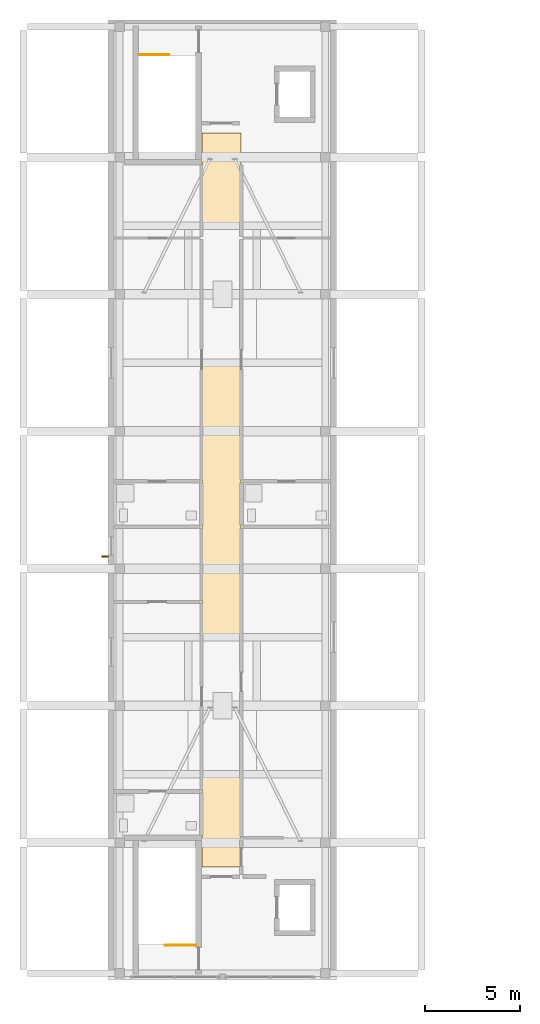
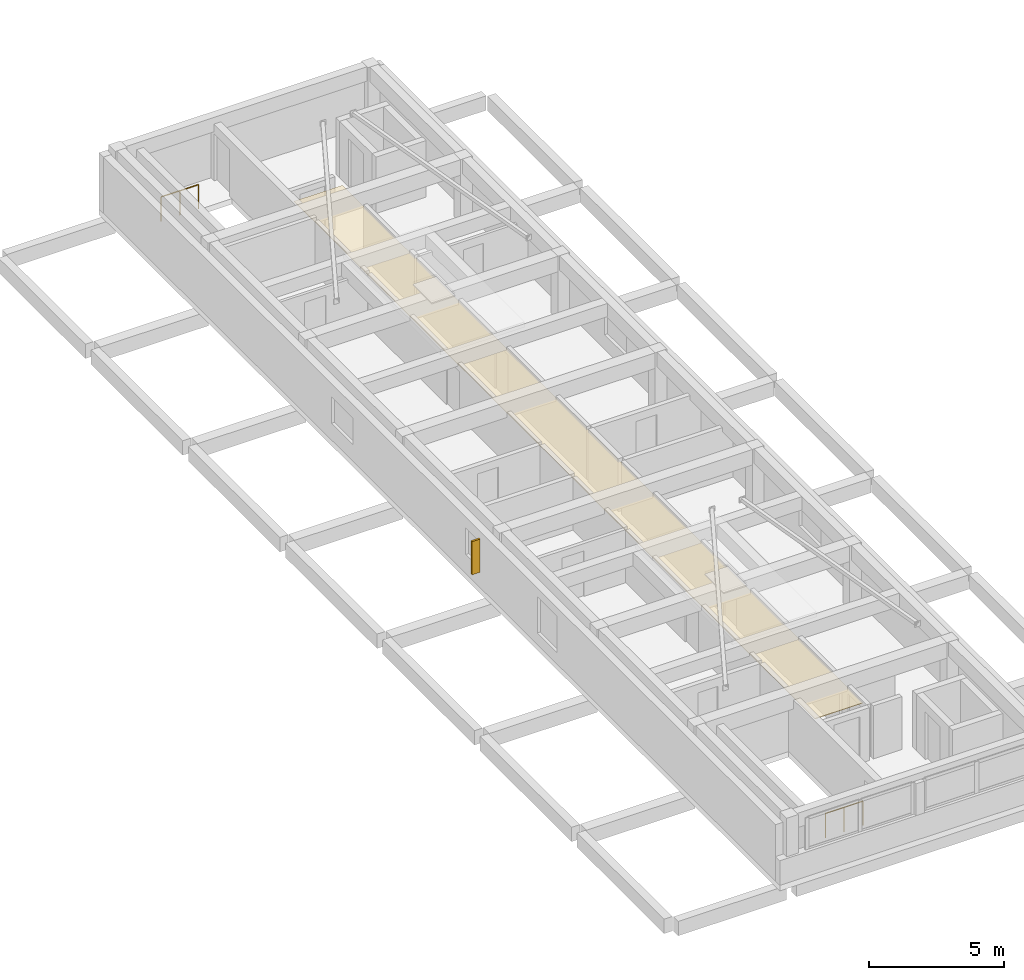
# One storey, part 8 of 9: 2 railings, 1 covering, 1 shading device.
"""IFC4 building model written with IfcOpenShell, lengths in metres."""

from ifc_helpers import new_model, si_unit, derived_unit, direction, frame, origin, origin_2d, place, context, subcontext, project, spatial, polyline, rectangle, circle, outline, extrude, material, layer, layer_set, type_object, element, save


model = new_model("IFC4")

# Units and contexts
model_context = context("Model", 3, precision=1e-05, world=origin(), true_north=direction((0.0, 1.0)))
body_context = subcontext(model_context, "Body", "Model", "MODEL_VIEW")
ifc_project = project(units=[si_unit("LENGTHUNIT", "METRE"), si_unit("AREAUNIT", "SQUARE_METRE"), si_unit("VOLUMEUNIT", "CUBIC_METRE"), si_unit("PLANEANGLEUNIT", "RADIAN"), si_unit("MASSUNIT", "GRAM", prefix="KILO"), derived_unit("THERMALTRANSMITTANCEUNIT", [(si_unit("MASSUNIT", "GRAM", prefix="KILO"), 1), (si_unit("TIMEUNIT", "SECOND"), -3), (si_unit("THERMODYNAMICTEMPERATUREUNIT", "KELVIN"), -1)])], contexts=[model_context])

# Site, building, storey
site_placement = place(None, origin())
site = spatial("IfcSite", under=ifc_project, at=site_placement, CompositionType="ELEMENT")
building_placement = place(site_placement, origin())
building = spatial("IfcBuilding", under=site, at=building_placement, Name="Ochrekiln Boulevard Commons", CompositionType="ELEMENT")
storey_placement = place(building_placement, frame((0.0, 0.0, 46.72509765625)))
storey = spatial("IfcBuildingStorey", under=building, at=storey_placement, Name="L14", CompositionType="ELEMENT", Elevation=46.72509765625)

# Covering
ifc_material_1 = material(Name="Mineral-fibre acoustic ceiling tile")
ifc_layer = layer(ifc_material_1, 0.02490234375)
ifc_layer_set = layer_set([ifc_layer], Name="Mineral-fibre acoustic ceiling tile")
covering_type = type_object("IfcCoveringType", Name="COV-CEIL-AC", PredefinedType="CEILING", material=ifc_layer_set)
covering_placement = place(storey_placement, frame((0.0, 0.0, 2.199951171875)))
element("IfcCovering", 1, at=covering_placement, inside=storey, type_object=covering_type, Name="L14 Acoustic Corridor Ceiling 74", PredefinedType="CEILING", context=body_context, shape_type="SweptSolid", body=[
    extrude(outline(polyline([(9.719970703125, 74.320068359375), (11.780029296875, 74.320068359375), (11.780029296875, 112.8798828125), (9.719970703125, 112.8798828125), (9.719970703125, 74.320068359375)])), origin(), (0.0, 0.0, 1.0), 0.02490234375),
])

# Railings
ifc_material_2 = material(Name="Brushed stainless steel 316 tubular railing", Category="steel")
railing_type = type_object("IfcRailingType", Name="RLG-STR-1120", PredefinedType="BALUSTRADE", material=ifc_material_2)
railing_1_placement = place(storey_placement, frame((9.39990234375, 70.219970703125, 0.0)))
element("IfcRailing", 2, at=railing_1_placement, inside=storey, type_object=railing_type, Name="L14 ST-A1 top well guard 1", PredefinedType="BALUSTRADE", context=body_context, shape_type="SweptSolid", body=[
    extrude(circle(Radius=0.02392578125, at=origin_2d()), frame((0.0, 0.0, 1.09619140625), z_axis=(-1.0, 0.0, 0.0), x_axis=(0.0, -1.0, 0.0)), (0.0, 0.0, 1.0), 1.599853515625),
    extrude(circle(Radius=0.02099609375, at=origin_2d()), origin(), (0.0, 0.0, 1.0), 1.072021484375),
    extrude(circle(Radius=0.02099609375, at=origin_2d()), frame((-0.7998046875, 0.0, 0.0)), (0.0, 0.0, 1.0), 1.072021484375),
    extrude(circle(Radius=0.02099609375, at=origin_2d()), frame((-1.599853515625, 0.0, 0.0)), (0.0, 0.0, 1.0), 1.072021484375),
])
railing_2_placement = place(storey_placement, frame((6.39990234375, 116.97998046875, 0.0)))
element("IfcRailing", 3, at=railing_2_placement, inside=storey, type_object=railing_type, Name="L14 ST-A2 top well guard 1", PredefinedType="BALUSTRADE", context=body_context, shape_type="SweptSolid", body=[
    extrude(circle(Radius=0.02392578125, at=origin_2d()), frame((0.0, 0.0, 1.09619140625), z_axis=(1.0, 0.0, 0.0), x_axis=(0.0, 1.0, 0.0)), (0.0, 0.0, 1.0), 1.60009765625),
    extrude(circle(Radius=0.02099609375, at=origin_2d()), origin(), (0.0, 0.0, 1.0), 1.072021484375),
    extrude(circle(Radius=0.02099609375, at=origin_2d()), frame((0.800048828125, 0.0, 0.0)), (0.0, 0.0, 1.0), 1.072021484375),
    extrude(circle(Radius=0.02099609375, at=origin_2d()), frame((1.60009765625, 0.0, 0.0)), (0.0, 0.0, 1.0), 1.072021484375),
])

# Shading device
ifc_material_3 = material(Name="Glazed architectural terracotta ASTM C1405", Category="masonry")
shading_device_type = type_object("IfcShadingDeviceType", Name="SHD-FIN-TERRA", PredefinedType="JALOUSIE", material=ifc_material_3)
shading_device_placement = place(storey_placement, frame((4.6298828125, 90.631103515625, 0.699951171875), z_axis=(0.0, 0.0, 1.0), x_axis=(1.0, 0.0, 0.0)))
element("IfcShadingDevice", 4, at=shading_device_placement, inside=storey, type_object=shading_device_type, Name="Terracotta Solar Shading Fin SF-01 (25)", PredefinedType="JALOUSIE", context=body_context, shape_type="SweptSolid", body=[
    extrude(rectangle(XDim=0.35009765625, YDim=0.080078125, at=origin_2d()), origin(), (0.0, 0.0, 1.0), 1.5),
])

save(model, "model.ifc")
